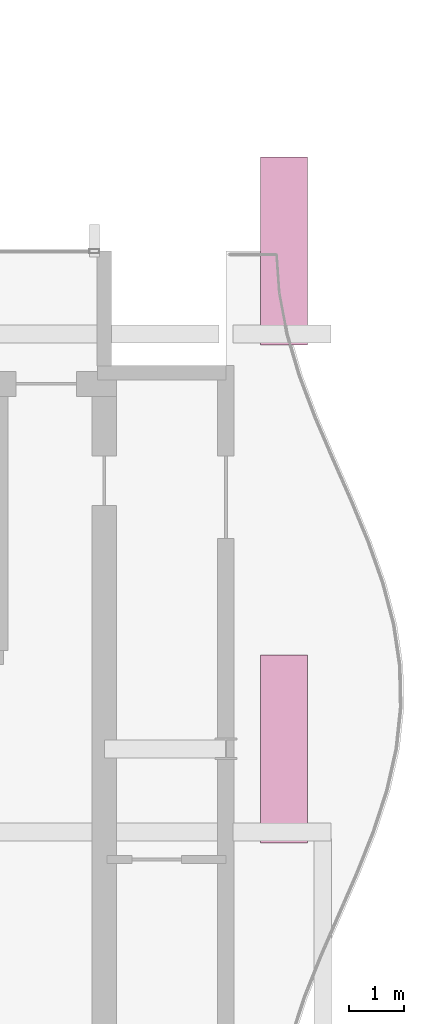
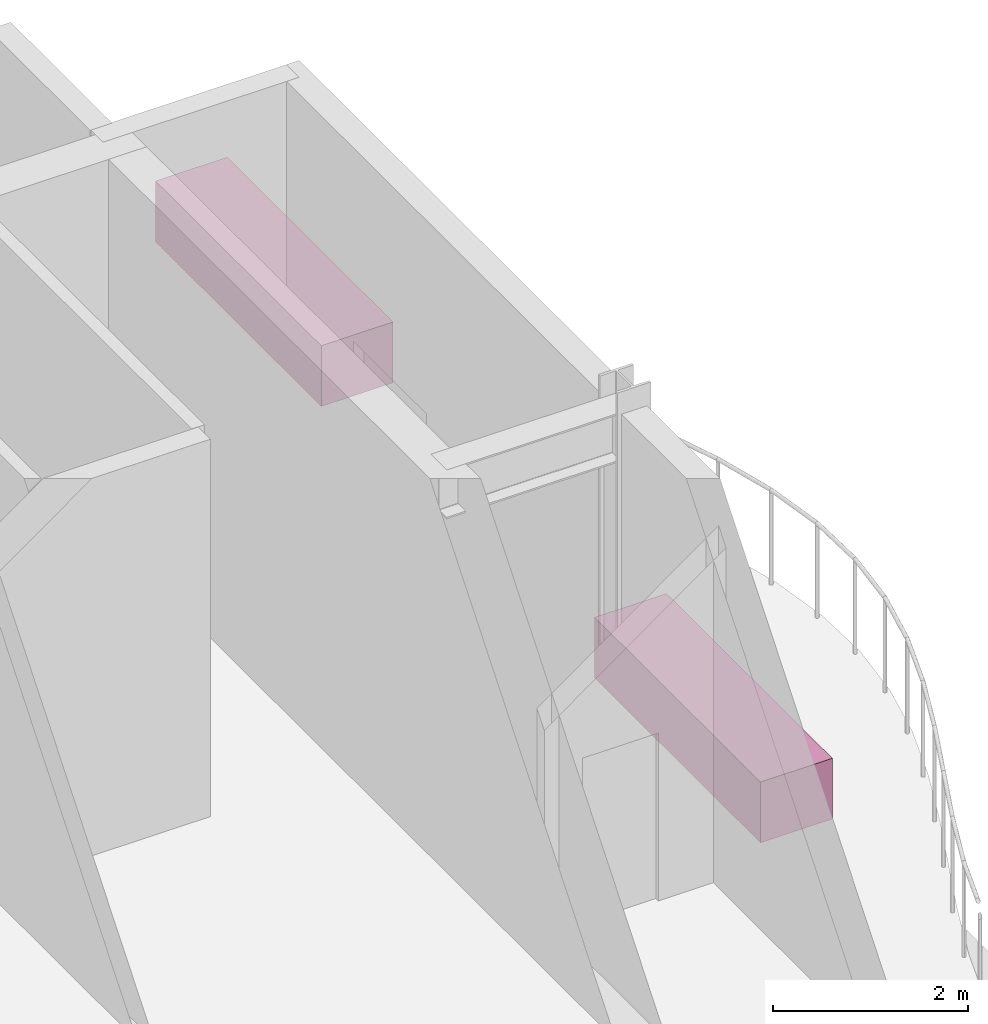
# One storey, part 23 of 23: 2 furnishings.
"""IFC4 building model written with IfcOpenShell, lengths in metres."""

import ifcopenshell
import ifcopenshell.guid

model = None  # the IFC model being written
_history = None  # IfcOwnerHistory: only IFC2X3 demands one
_inside = {}  # id of a spatial element -> (the spatial element, [elements in it])
_under = {}  # id of a project, library or spatial element -> (it, [spatial elements below it])
_declared = {}  # id of a project -> (the project, [libraries it declares])
_typed = {}  # id of a type object -> (the type object, [elements of that type])
_made_of = {}  # id of a material, layer set ... -> (it, [elements and type objects made of it])


def new_model(schema):
    """Start an empty IFC model of exactly this schema.

    Asked for "IFC4X3", IfcOpenShell would pick the latest addendum, in which some entities
    have other attributes; the version numbers below select the first issue.
    IFC2X3 requires an IfcOwnerHistory on every rooted entity: one is made here for all.
    """
    global model, _history
    if schema == "IFC4X3":
        model = ifcopenshell.file(schema_version=(4, 3, 0, 0))
    else:
        model = ifcopenshell.file(schema=schema)
    _inside.clear()
    _under.clear()
    _declared.clear()
    _typed.clear()
    _made_of.clear()
    _history = None
    if model.schema == "IFC2X3":
        org = make("IfcOrganization", Name="unknown")
        user = make(
            "IfcPersonAndOrganization",
            ThePerson=make("IfcPerson", FamilyName="unknown"),
            TheOrganization=org,
        )
        app = make(
            "IfcApplication",
            ApplicationDeveloper=org,
            Version="unknown",
            ApplicationFullName="unknown",
            ApplicationIdentifier="unknown",
        )
        _history = make(
            "IfcOwnerHistory",
            OwningUser=user,
            OwningApplication=app,
            ChangeAction="ADDED",
            CreationDate=0,
        )
    return model


def make(cls, **values):
    """One entity of the class cls with the attributes given. An attribute that is None is left unset."""
    return model.create_entity(
        cls, **{name: value for name, value in values.items() if value is not None}
    )


def rooted(cls, **values):
    """An entity with a GlobalId (a new one), such as an element, a storey or a relation."""
    return make(cls, GlobalId=ifcopenshell.guid.new(), OwnerHistory=_history, **values)


def si_unit(unit_type, name, prefix=None):
    """IfcSIUnit, for example si_unit("LENGTHUNIT", "METRE", prefix="MILLI")."""
    return make("IfcSIUnit", UnitType=unit_type, Prefix=prefix, Name=name)


def assignment(units):
    """IfcUnitAssignment: the units of a project."""
    return None if units is None else make("IfcUnitAssignment", Units=units)


def point(xyz):
    """IfcCartesianPoint."""
    return None if xyz is None else make("IfcCartesianPoint", Coordinates=xyz)


def direction(xyz):
    """IfcDirection."""
    return None if xyz is None else make("IfcDirection", DirectionRatios=xyz)


def frame(location, z_axis=None, x_axis=None):
    """IfcAxis2Placement3D, a coordinate frame: its origin and axes. An axis left out is left unset."""
    return make(
        "IfcAxis2Placement3D",
        Location=point(location),
        Axis=direction(z_axis),
        RefDirection=direction(x_axis),
    )


def frame_2d(location, x_axis=None):
    """IfcAxis2Placement2D, a coordinate frame in the plane: its origin and x axis."""
    return make(
        "IfcAxis2Placement2D", Location=point(location), RefDirection=direction(x_axis)
    )


def origin():
    """The frame at (0, 0, 0) with its axes left unset."""
    return frame((0.0, 0.0, 0.0))


def origin_2d():
    """The frame at (0, 0) in the plane with its x axis left unset."""
    return frame_2d((0.0, 0.0))


def place(relative_to, where):
    """IfcLocalPlacement: puts the frame where relative to a parent placement (None: the world)."""
    return make(
        "IfcLocalPlacement", PlacementRelTo=relative_to, RelativePlacement=where
    )


def context(
    kind, dimensions, precision=None, world=None, true_north=None, identifier=None
):
    """IfcGeometricRepresentationContext, for example the 3D "Model" context."""
    return make(
        "IfcGeometricRepresentationContext",
        ContextIdentifier=identifier,
        ContextType=kind,
        CoordinateSpaceDimension=dimensions,
        Precision=precision,
        WorldCoordinateSystem=world,
        TrueNorth=true_north,
    )


def subcontext(parent, identifier, kind, view, scale=None):
    """IfcGeometricRepresentationSubContext, for example "Body" below "Model"."""
    return make(
        "IfcGeometricRepresentationSubContext",
        ContextIdentifier=identifier,
        ContextType=kind,
        ParentContext=parent,
        TargetScale=scale,
        TargetView=view,
    )


def project(units=None, contexts=None):
    """IfcProject with its units and contexts."""
    return rooted(
        "IfcProject",
        Name="project",
        RepresentationContexts=contexts,
        UnitsInContext=assignment(units),
    )


def spatial(cls, under=None, at=None, **own):
    """A site, building, storey or space (cls), placed at a placement, below another one or the project."""
    s = rooted(cls, ObjectPlacement=at, **own)
    if under is not None:
        _under.setdefault(under.id(), (under, []))[1].append(s)
    return s


def profile(cls, at=None, kind="AREA", **sizes):
    """A parametric profile (cls). Its sizes go by their IFC names, for example OverallWidth=200.0."""
    return make(cls, ProfileType=kind, Position=at, **sizes)


def rectangle(**sizes):
    """IfcRectangleProfileDef."""
    return profile("IfcRectangleProfileDef", **sizes)


def extrude(swept, where, along, depth):
    """IfcExtrudedAreaSolid: the profile swept, set in the frame where, extruded along a direction by depth."""
    return make(
        "IfcExtrudedAreaSolid",
        SweptArea=swept,
        Position=where,
        ExtrudedDirection=direction(along),
        Depth=depth,
    )


def shape(context_of_items, identifier, shape_type, items):
    """IfcShapeRepresentation: the items that make up one representation, for example the "Body"."""
    return make(
        "IfcShapeRepresentation",
        ContextOfItems=context_of_items,
        RepresentationIdentifier=identifier,
        RepresentationType=shape_type,
        Items=items,
    )


def material(Name=None, Category=None):
    """IfcMaterial."""
    return make("IfcMaterial", Name=Name, Category=Category)


def made_of(thing, what):
    """Note that an element or type object is made of a material, layer set ...; save() writes the relation."""
    if what is not None:
        _made_of.setdefault(what.id(), (what, []))[1].append(thing)
    return thing


def type_object(cls, material=None, **own):
    """A type object (cls), such as IfcWallType, which elements share."""
    return made_of(rooted(cls, **own), material)


def element(
    cls,
    number,
    at=None,
    inside=None,
    cuts=None,
    type_object=None,
    material=None,
    context=None,
    identifier="Body",
    shape_type=None,
    held_by="IfcProductDefinitionShape",
    body=None,
    shapes=None,
    **own,
):
    """One element of the class cls, such as IfcWall. Its Tag is "e" and its number.

    at: its placement. inside: the storey or other place that contains it. cuts: it is an
    opening in that element (IfcRelVoidsElement). A single representation is given by context,
    identifier, shape_type and body (its items); several are given by shapes. held_by: the class
    of the entity that holds the representations. save() writes the other relations.
    """
    e = rooted(cls, Tag="e%d" % number, ObjectPlacement=at, **own)
    if body is not None:
        shapes = [shape(context, identifier, shape_type, body)]
    if shapes is not None:
        e.Representation = make(held_by, Representations=shapes)
    if inside is not None:
        _inside.setdefault(inside.id(), (inside, []))[1].append(e)
    if cuts is not None:
        rooted(
            "IfcRelVoidsElement", RelatingBuildingElement=cuts, RelatedOpeningElement=e
        )
    if type_object is not None:
        _typed.setdefault(type_object.id(), (type_object, []))[1].append(e)
    return made_of(e, material)


def aggregate(whole, parts):
    """IfcRelAggregates: a whole, such as a stair, and the parts it consists of."""
    return rooted("IfcRelAggregates", RelatingObject=whole, RelatedObjects=parts)


def save(model, path):
    """Write the relations noted so far, then the file.

    IfcRelAggregates (storeys below a building ...), IfcRelContainedInSpatialStructure (elements
    in a storey), IfcRelDefinesByType, IfcRelAssociatesMaterial and IfcRelDeclares: one each for
    every whole, place, type object, material and project.
    """
    for whole, parts in _under.values():
        aggregate(whole, parts)
    for where, things in _inside.values():
        rooted(
            "IfcRelContainedInSpatialStructure",
            RelatedElements=things,
            RelatingStructure=where,
        )
    for kind, things in _typed.values():
        rooted("IfcRelDefinesByType", RelatedObjects=things, RelatingType=kind)
    for what, things in _made_of.values():
        rooted("IfcRelAssociatesMaterial", RelatedObjects=things, RelatingMaterial=what)
    for by, libraries in _declared.values():
        rooted("IfcRelDeclares", RelatingContext=by, RelatedDefinitions=libraries)
    model.write(path)


model = new_model("IFC4")

# Units and contexts
model_context = context("Model", 3, precision=1e-05, world=origin(), true_north=direction((0.0, 1.0)))
body_context = subcontext(model_context, "Body", "Model", "MODEL_VIEW")
ifc_project = project(units=[si_unit("LENGTHUNIT", "METRE"), si_unit("AREAUNIT", "SQUARE_METRE"), si_unit("VOLUMEUNIT", "CUBIC_METRE"), si_unit("PLANEANGLEUNIT", "RADIAN"), si_unit("MASSUNIT", "GRAM", prefix="KILO")], contexts=[model_context])

# Site, building, storey
site_placement = place(None, origin())
site = spatial("IfcSite", under=ifc_project, at=site_placement, CompositionType="ELEMENT")
building_placement = place(site_placement, origin())
building = spatial("IfcBuilding", under=site, at=building_placement, Name="Solvaryn Broadcast Tower", CompositionType="ELEMENT")
storey_placement = place(building_placement, frame((0.0, 0.0, 235.800048828125)))
storey = spatial("IfcBuildingStorey", under=building, at=storey_placement, Name="L59", CompositionType="ELEMENT", Elevation=235.800048828125)

# Furnishings
ifc_material = material(Name="Architectural Terracotta Planter Bed", Category="masonry")
furnishing_element_type = type_object("IfcFurnishingElementType", Name="PLB-01 Garden Planter Bed", material=ifc_material)
for number, where, z_axis, x_axis, name in (
    (1, (46.050048828125, 18.0, 0.0), (0.0, 0.0, 1.0), (1.0, 0.0, 0.0), "L59 Planted Terrace Planter PLANTER-TS-SG-L59-1"),
    (2, (46.050048828125, 27.0, 0.0), (0.0, 0.0, 1.0), (1.0, 0.0, 0.0), "L59 Planted Terrace Planter PLANTER-TS-SG-L59-2"),
):
    element("IfcFurnishingElement", number, at=place(storey_placement, frame(where, z_axis=z_axis, x_axis=x_axis)), inside=storey, type_object=furnishing_element_type, Name=name, ObjectType="PLANTER", context=body_context, shape_type="SweptSolid", body=[
        extrude(rectangle(XDim=0.85009765625, YDim=3.39990234375, at=origin_2d()), origin(), (0.0, 0.0, 1.0), 0.760009765625),
    ])

save(model, "model.ifc")
